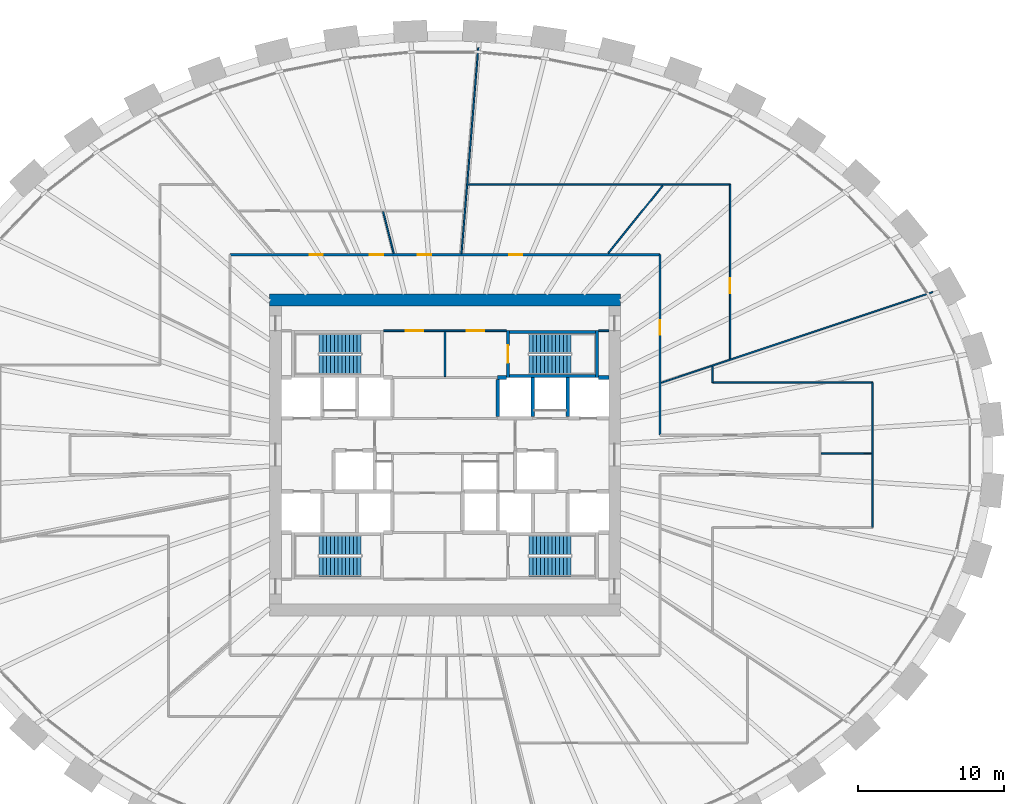
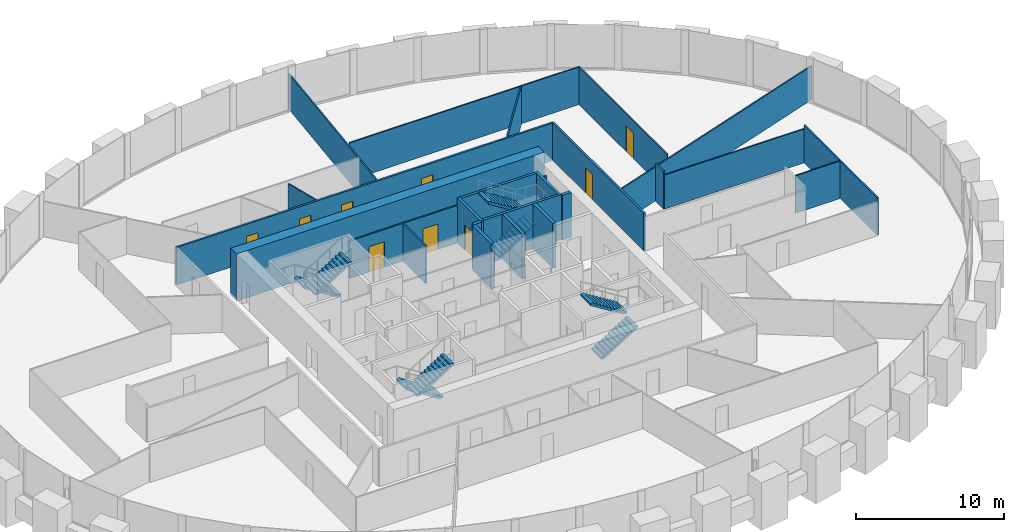
# One storey, part 9 of 10: 25 walls, 9 doors, 8 stair flights, 9 openings, 4 elements without a shape of their own.
"""IFC4 building model written with IfcOpenShell, lengths in metres."""

from ifc_helpers import new_model, si_unit, direction, frame, frame_2d, origin, place, context, subcontext, project, spatial, polyline, rectangle, outline, extrude, source, transform, mapped, material, layer, layer_set, type_object, element, fill, aggregate, save


model = new_model("IFC4")

# Units and contexts
model_context = context("Model", 3, precision=1e-05, world=origin(), true_north=direction((0.0, 1.0)))
body_context = subcontext(model_context, "Body", "Model", "MODEL_VIEW")
ifc_project = project(units=[si_unit("LENGTHUNIT", "METRE"), si_unit("AREAUNIT", "SQUARE_METRE"), si_unit("VOLUMEUNIT", "CUBIC_METRE"), si_unit("PLANEANGLEUNIT", "RADIAN"), si_unit("MASSUNIT", "GRAM", prefix="KILO")], contexts=[model_context])

# Site, building, storey
site_placement = place(None, origin())
site = spatial("IfcSite", under=ifc_project, at=site_placement, CompositionType="ELEMENT")
building_placement = place(site_placement, origin())
building = spatial("IfcBuilding", under=site, at=building_placement, Name="Embergate Tower", CompositionType="ELEMENT")
storey_placement = place(building_placement, frame((0.0, 0.0, 171.60009765625)))
storey = spatial("IfcBuildingStorey", under=building, at=storey_placement, Name="L38", CompositionType="ELEMENT", Elevation=171.60009765625)

# Walls
ifc_material_1 = material(Name="Concrete C70", Category="concrete")
ifc_layer_1 = layer(ifc_material_1, 0.800048828125)
ifc_layer_set_1 = layer_set([ifc_layer_1], Name="Concrete C70")
wall_type_1 = type_object("IfcWallType", Name="Core outer wall C70 800", PredefinedType="SHEAR", material=ifc_layer_set_1)
shared_shape_1 = source(origin(), body_context, "Body", "SweptSolid", [
    extrude(rectangle(XDim=24.0, YDim=0.800048828125, at=frame_2d((12.0, 0.0))), origin(), (0.0, 0.0, 1.0), 3.900146484375),
])
wall_1_placement = place(storey_placement, frame((-12.0, 10.60009765625, -0.2001953125), z_axis=(0.0, 0.0, 1.0), x_axis=(1.0, 0.0, 0.0)))
element("IfcWall", 1, at=wall_1_placement, inside=storey, type_object=wall_type_1, Name="CW-L38-N", PredefinedType="SHEAR", context=body_context, shape_type="MappedRepresentation", body=[
    mapped(shared_shape_1, transform((0.0, 0.0, 0.0))),
])
ifc_material_2 = material(Name="Concrete C50", Category="concrete")
ifc_layer_2 = layer(ifc_material_2, 0.25)
ifc_layer_set_2 = layer_set([ifc_layer_2], Name="Concrete C50")
wall_type_2 = type_object("IfcWallType", Name="Hoistway wall reinforced concrete 250", PredefinedType="SHEAR", material=ifc_layer_set_2)
shared_shape_2 = source(origin(), body_context, "Body", "SweptSolid", [
    extrude(rectangle(XDim=2.675048828125, YDim=0.25, at=frame_2d((1.33740234375, 0.0))), origin(), (0.0, 0.0, 1.0), 3.699951171875),
])
for number, where, z_axis, x_axis, name in (
    (2, (6.0, 2.625, 0.0), (0.0, 0.0, 1.0), (0.0, 1.0, 0.0), "HW-1 wall"),
    (3, (8.39990234375, 2.625, 0.0), (0.0, 0.0, 1.0), (0.0, 1.0, 0.0), "HW-1 wall"),
):
    element("IfcWall", number, at=place(storey_placement, frame(where, z_axis=z_axis, x_axis=x_axis)), inside=storey, type_object=wall_type_2, Name=name, PredefinedType="SHEAR", context=body_context, shape_type="MappedRepresentation", body=[
        mapped(shared_shape_2, transform((0.0, 0.0, 0.0))),
    ])
ifc_layer_3 = layer(ifc_material_2, 0.199951171875)
ifc_layer_set_3 = layer_set([ifc_layer_3], Name="Concrete C50")
wall_type_3 = type_object("IfcWallType", Name="Stair enclosure wall reinforced concrete 250", PredefinedType="SHEAR", material=ifc_layer_set_3)
shared_shape_3 = source(origin(), body_context, "Body", "SweptSolid", [
    extrude(rectangle(XDim=6.300048828125, YDim=0.199951171875, at=frame_2d((3.14990234375, 0.0))), origin(), (0.0, 0.0, 1.0), 3.699951171875),
])
for number, where, z_axis, x_axis, name in (
    (4, (10.5, 5.39990234375, 0.0), (0.0, 0.0, 1.0), (-1.0, 0.0, 0.0), "SE-1 wall"),
    (5, (10.5, 8.39990234375, 0.0), (0.0, 0.0, 1.0), (-1.0, 0.0, 0.0), "SE-1 wall"),
):
    element("IfcWall", number, at=place(storey_placement, frame(where, z_axis=z_axis, x_axis=x_axis)), inside=storey, type_object=wall_type_3, Name=name, PredefinedType="SHEAR", context=body_context, shape_type="MappedRepresentation", body=[
        mapped(shared_shape_3, transform((0.0, 0.0, 0.0))),
    ])
shared_shape_4 = source(origin(), body_context, "Body", "SweptSolid", [
    extrude(rectangle(XDim=2.550048828125, YDim=0.25, at=frame_2d((1.27490234375, 0.0))), origin(), (0.0, 0.0, 1.0), 3.699951171875),
])
wall_2_placement = place(storey_placement, frame((3.60009765625, 5.175048828125, 0.0), z_axis=(0.0, 0.0, 1.0), x_axis=(0.0, -1.0, 0.0)))
element("IfcWall", 6, at=wall_2_placement, inside=storey, type_object=wall_type_2, Name="HW-1 wall", PredefinedType="SHEAR", context=body_context, shape_type="MappedRepresentation", body=[
    mapped(shared_shape_4, transform((0.0, 0.0, 0.0))),
])

# Wall, opening, door
shared_shape_5 = source(origin(), body_context, "Body", "SweptSolid", [
    extrude(rectangle(XDim=3.199951171875, YDim=0.199951171875, at=frame_2d((1.60009765625, 0.0))), origin(), (0.0, 0.0, 1.0), 3.699951171875),
])
wall_3_placement = place(storey_placement, frame((4.300048828125, 8.5, 0.0), z_axis=(0.0, 0.0, 1.0), x_axis=(0.0, -1.0, 0.0)))
wall_3 = element("IfcWall", 7, at=wall_3_placement, inside=storey, type_object=wall_type_3, Name="SE-1 wall", PredefinedType="SHEAR", context=body_context, shape_type="MappedRepresentation", body=[
    mapped(shared_shape_5, transform((0.0, 0.0, 0.0))),
])
shared_shape_6 = source(origin(), body_context, "Body", "SweptSolid", [
    extrude(rectangle(XDim=1.199951171875, YDim=2.10009765625, at=frame_2d((0.60009765625, 1.050048828125))), frame((0.0, 0.10986328125, 0.0), z_axis=(0.0, -1.0, 0.0), x_axis=(1.0, 0.0, 0.0)), (0.0, 0.0, 1.0), 0.219970703125),
])
opening_1_placement = place(wall_3_placement, frame((1.0, 0.0, 0.0)))
opening_1 = element("IfcOpeningElement", 8, at=opening_1_placement, cuts=wall_3, Name="Opening IF-2", PredefinedType="OPENING", context=body_context, shape_type="MappedRepresentation", body=[
    mapped(shared_shape_6, transform((0.0, 0.0, 0.0))),
])
ifc_material_3 = material(Name="Stair enclosure door 1200")
door_type_1 = type_object("IfcDoorType", Name="Stair enclosure door 1200", OperationType="SINGLE_SWING_LEFT", PredefinedType="DOOR", material=ifc_material_3)
shared_shape_7 = source(origin(), body_context, "Body", "SweptSolid", [
    extrude(rectangle(XDim=1.199951171875, YDim=2.10009765625, at=frame_2d((0.60009765625, 1.050048828125))), frame((0.0, 0.02490234375, 0.0), z_axis=(0.0, -1.0, 0.0), x_axis=(1.0, 0.0, 0.0)), (0.0, 0.0, 1.0), 0.050048828125),
])
door_1_placement = place(opening_1_placement, origin())
door_1 = element("IfcDoor", 9, at=door_1_placement, inside=storey, type_object=door_type_1, Name="IF-2 door", OperationType="SINGLE_SWING_RIGHT", OverallHeight=2.10009765625, OverallWidth=1.199951171875, PredefinedType="DOOR", context=body_context, shape_type="MappedRepresentation", body=[
    mapped(shared_shape_7, transform((0.0, 0.0, 0.0))),
])
fill(opening_1, door_1)

# Wall, openings, doors
ifc_material_4 = material(Name="Core partition blockwork 120")
ifc_layer_4 = layer(ifc_material_4, 0.1201171875)
ifc_layer_set_4 = layer_set([ifc_layer_4], Name="Core partition blockwork 120")
wall_type_4 = type_object("IfcWallType", Name="Core partition blockwork 120", PredefinedType="PARTITIONING", material=ifc_layer_set_4)
shared_shape_8 = source(origin(), body_context, "Body", "SweptSolid", [
    extrude(rectangle(XDim=8.39990234375, YDim=0.1201171875, at=frame_2d((4.199951171875, 0.0))), origin(), (0.0, 0.0, 1.0), 3.099853515625),
])
wall_4_placement = place(storey_placement, frame((4.199951171875, 8.5, 0.0), z_axis=(0.0, 0.0, 1.0), x_axis=(-1.0, 0.0, 0.0)))
wall_4 = element("IfcWall", 10, at=wall_4_placement, inside=storey, type_object=wall_type_4, Name="IP-3 wall", PredefinedType="PARTITIONING", context=body_context, shape_type="MappedRepresentation", body=[
    mapped(shared_shape_8, transform((0.0, 0.0, 0.0))),
])
shared_shape_9 = source(origin(), body_context, "Body", "SweptSolid", [
    extrude(rectangle(XDim=1.199951171875, YDim=2.10009765625, at=frame_2d((0.60009765625, 1.050048828125))), frame((0.0, 0.070068359375, 0.0), z_axis=(0.0, -1.0, 0.0), x_axis=(1.0, 0.0, 0.0)), (0.0, 0.0, 1.0), 0.14013671875),
])
opening_2_placement = place(wall_4_placement, frame((5.699951171875, 0.0, 0.0)))
opening_2 = element("IfcOpeningElement", 11, at=opening_2_placement, cuts=wall_4, Name="Opening IF-3f", PredefinedType="OPENING", context=body_context, shape_type="MappedRepresentation", body=[
    mapped(shared_shape_9, transform((0.0, 0.0, 0.0))),
])
opening_3_placement = place(wall_4_placement, frame((1.5, 0.0, 0.0)))
opening_3 = element("IfcOpeningElement", 12, at=opening_3_placement, cuts=wall_4, Name="Opening IF-3f", PredefinedType="OPENING", context=body_context, shape_type="MappedRepresentation", body=[
    mapped(shared_shape_9, transform((0.0, 0.0, 0.0))),
])
ifc_material_5 = material(Name="Lobby fire door pair 1200")
door_type_2 = type_object("IfcDoorType", Name="Lobby fire door pair 1200", OperationType="DOUBLE_DOOR_SINGLE_SWING", PredefinedType="DOOR", material=ifc_material_5)
door_2_placement = place(opening_2_placement, origin())
door_2 = element("IfcDoor", 13, at=door_2_placement, inside=storey, type_object=door_type_2, Name="IF-3 door", OperationType="DOUBLE_DOOR_SINGLE_SWING", OverallHeight=2.10009765625, OverallWidth=1.199951171875, PredefinedType="DOOR", context=body_context, shape_type="MappedRepresentation", body=[
    mapped(shared_shape_7, transform((0.0, 0.0, 0.0))),
])
fill(opening_2, door_2)
door_3_placement = place(opening_3_placement, origin())
door_3 = element("IfcDoor", 14, at=door_3_placement, inside=storey, type_object=door_type_2, Name="IF-3 door", OperationType="DOUBLE_DOOR_SINGLE_SWING", OverallHeight=2.10009765625, OverallWidth=1.199951171875, PredefinedType="DOOR", context=body_context, shape_type="MappedRepresentation", body=[
    mapped(shared_shape_7, transform((0.0, 0.0, 0.0))),
])
fill(opening_3, door_3)

# Walls
shared_shape_10 = source(origin(), body_context, "Body", "SweptSolid", [
    extrude(rectangle(XDim=0.599853515625, YDim=0.25, at=frame_2d((0.2998046875, 0.0))), origin(), (0.0, 0.0, 1.0), 3.699951171875),
])
wall_5_placement = place(storey_placement, frame((4.199951171875, 5.300048828125, 0.0), z_axis=(0.0, 0.0, 1.0), x_axis=(-1.0, 0.0, 0.0)))
element("IfcWall", 15, at=wall_5_placement, inside=storey, type_object=wall_type_2, Name="HW-1 wall", PredefinedType="SHEAR", context=body_context, shape_type="MappedRepresentation", body=[
    mapped(shared_shape_10, transform((0.0, 0.0, 0.0))),
])
shared_shape_11 = source(origin(), body_context, "Body", "SweptSolid", [
    extrude(rectangle(XDim=3.196044921875, YDim=0.199951171875, at=frame_2d((1.59814453125, 0.0))), origin(), (0.0, 0.0, 1.0), 3.699951171875),
])
wall_6_placement = place(storey_placement, frame((10.39990234375, 5.302001953125, 0.0), z_axis=(0.0, 0.0, 1.0), x_axis=(0.0, 1.0, 0.0)))
element("IfcWall", 16, at=wall_6_placement, inside=storey, type_object=wall_type_3, Name="SE-1 wall", PredefinedType="SHEAR", context=body_context, shape_type="MappedRepresentation", body=[
    mapped(shared_shape_11, transform((0.0, 0.0, 0.0))),
])
shared_shape_12 = source(origin(), body_context, "Body", "SweptSolid", [
    extrude(rectangle(XDim=0.697998046875, YDim=0.25, at=frame_2d((0.34912109375, 0.0))), origin(), (0.0, 0.0, 1.0), 3.699951171875),
])
wall_7_placement = place(storey_placement, frame((11.199951171875, 5.300048828125, 0.0), z_axis=(0.0, 0.0, 1.0), x_axis=(-1.0, 0.0, 0.0)))
element("IfcWall", 17, at=wall_7_placement, inside=storey, type_object=wall_type_2, Name="HW-1 wall", PredefinedType="SHEAR", context=body_context, shape_type="MappedRepresentation", body=[
    mapped(shared_shape_12, transform((0.0, 0.0, 0.0))),
])
shared_shape_13 = source(origin(), body_context, "Body", "SweptSolid", [
    extrude(rectangle(XDim=3.079833984375, YDim=0.1201171875, at=frame_2d((1.5400390625, 0.0))), origin(), (0.0, 0.0, 1.0), 3.099853515625),
])
wall_8_placement = place(storey_placement, frame((0.0, 5.360107421875, 0.0), z_axis=(0.0, 0.0, 1.0), x_axis=(0.0, 1.0, 0.0)))
element("IfcWall", 18, at=wall_8_placement, inside=storey, type_object=wall_type_4, Name="IP-3 wall", PredefinedType="PARTITIONING", context=body_context, shape_type="MappedRepresentation", body=[
    mapped(shared_shape_13, transform((0.0, 0.0, 0.0))),
])
shared_shape_14 = source(origin(), body_context, "Body", "SweptSolid", [
    extrude(rectangle(XDim=0.697998046875, YDim=0.1201171875, at=frame_2d((0.34912109375, 0.0))), origin(), (0.0, 0.0, 1.0), 3.099853515625),
])
wall_9_placement = place(storey_placement, frame((10.501953125, 8.5, 0.0), z_axis=(0.0, 0.0, 1.0), x_axis=(1.0, 0.0, 0.0)))
element("IfcWall", 19, at=wall_9_placement, inside=storey, type_object=wall_type_4, Name="IP-3 wall", PredefinedType="PARTITIONING", context=body_context, shape_type="MappedRepresentation", body=[
    mapped(shared_shape_14, transform((0.0, 0.0, 0.0))),
])
ifc_material_6 = material(Name="Partition dry-lined 100")
ifc_layer_5 = layer(ifc_material_6, 0.10009765625)
ifc_layer_set_5 = layer_set([ifc_layer_5], Name="Partition dry-lined 100")
wall_type_5 = type_object("IfcWallType", Name="Partition dry-lined 100", PredefinedType="PARTITIONING", material=ifc_layer_set_5)
shared_shape_15 = source(origin(), body_context, "Body", "SweptSolid", [
    extrude(rectangle(XDim=10.949951171875, YDim=0.10009765625, at=frame_2d((5.47509765625, 0.0))), origin(), (0.0, 0.0, 1.0), 2.7998046875),
])
wall_10_placement = place(storey_placement, frame((29.25, 4.949951171875, 0.0), z_axis=(0.0, 0.0, 1.0), x_axis=(-1.0, 0.0, 0.0)))
element("IfcWall", 20, at=wall_10_placement, inside=storey, type_object=wall_type_5, Name="IP-1 wall", PredefinedType="PARTITIONING", context=body_context, shape_type="MappedRepresentation", body=[
    mapped(shared_shape_15, transform((0.0, 0.0, 0.0))),
])

# Wall, opening, door
ifc_material_7 = material(Name="Corridor wall dry-lined 150")
ifc_layer_6 = layer(ifc_material_7, 0.14990234375)
ifc_layer_set_6 = layer_set([ifc_layer_6], Name="Corridor wall dry-lined 150")
wall_type_6 = type_object("IfcWallType", Name="Corridor wall dry-lined 150", PredefinedType="PARTITIONING", material=ifc_layer_set_6)
shared_shape_16 = source(origin(), body_context, "Body", "SweptSolid", [
    extrude(rectangle(XDim=12.349853515625, YDim=0.14990234375, at=frame_2d((6.1748046875, 0.0))), origin(), (0.0, 0.0, 1.0), 3.099853515625),
])
wall_11_placement = place(storey_placement, frame((14.699951171875, 13.699951171875, 0.0), z_axis=(0.0, 0.0, 1.0), x_axis=(0.0, -1.0, 0.0)))
wall_11 = element("IfcWall", 21, at=wall_11_placement, inside=storey, type_object=wall_type_6, Name="IP-2 wall", PredefinedType="PARTITIONING", context=body_context, shape_type="MappedRepresentation", body=[
    mapped(shared_shape_16, transform((0.0, 0.0, 0.0))),
])
shared_shape_17 = source(origin(), body_context, "Body", "SweptSolid", [
    extrude(rectangle(XDim=1.0, YDim=2.10009765625, at=frame_2d((0.5, 1.050048828125))), frame((0.0, 0.0849609375, 0.0), z_axis=(0.0, -1.0, 0.0), x_axis=(1.0, 0.0, 0.0)), (0.0, 0.0, 1.0), 0.169921875),
])
opening_4_placement = place(wall_11_placement, frame((4.470947265625, 0.0, 0.0)))
opening_4 = element("IfcOpeningElement", 22, at=opening_4_placement, cuts=wall_11, Name="Opening ID-2", PredefinedType="OPENING", context=body_context, shape_type="MappedRepresentation", body=[
    mapped(shared_shape_17, transform((0.0, 0.0, 0.0))),
])
ifc_material_8 = material(Name="Interior door 1000")
door_type_3 = type_object("IfcDoorType", Name="Interior door 1000", OperationType="SINGLE_SWING_LEFT", PredefinedType="DOOR", material=ifc_material_8)
shared_shape_18 = source(origin(), body_context, "Body", "SweptSolid", [
    extrude(rectangle(XDim=1.0, YDim=2.10009765625, at=frame_2d((0.5, 1.050048828125))), frame((0.0, 0.02490234375, 0.0), z_axis=(0.0, -1.0, 0.0), x_axis=(1.0, 0.0, 0.0)), (0.0, 0.0, 1.0), 0.050048828125),
])
door_4_placement = place(opening_4_placement, origin())
door_4 = element("IfcDoor", 23, at=door_4_placement, inside=storey, type_object=door_type_3, Name="ID-2 door", OperationType="SINGLE_SWING_RIGHT", OverallHeight=2.10009765625, OverallWidth=1.0, PredefinedType="DOOR", context=body_context, shape_type="MappedRepresentation", body=[
    mapped(shared_shape_18, transform((0.0, 0.0, 0.0))),
])
fill(opening_4, door_4)

# Wall, openings, doors
shared_shape_19 = source(origin(), body_context, "Body", "SweptSolid", [
    extrude(rectangle(XDim=29.39990234375, YDim=0.14990234375, at=frame_2d((14.699951171875, 0.0))), origin(), (0.0, 0.0, 1.0), 3.099853515625),
])
wall_12_placement = place(storey_placement, frame((-14.699951171875, 13.699951171875, 0.0), z_axis=(0.0, 0.0, 1.0), x_axis=(1.0, 0.0, 0.0)))
wall_12 = element("IfcWall", 24, at=wall_12_placement, inside=storey, type_object=wall_type_6, Name="IP-2 wall", PredefinedType="PARTITIONING", context=body_context, shape_type="MappedRepresentation", body=[
    mapped(shared_shape_19, transform((0.0, 0.0, 0.0))),
])
shared_shape_20 = source(origin(), body_context, "Body", "SweptSolid", [
    extrude(rectangle(XDim=0.89990234375, YDim=2.10009765625, at=frame_2d((0.449951171875, 1.050048828125))), frame((0.0, 0.0849609375, 0.0), z_axis=(0.0, -1.0, 0.0), x_axis=(1.0, 0.0, 0.0)), (0.0, 0.0, 1.0), 0.169921875),
])
opening_5_placement = place(wall_12_placement, frame((19.080078125, 0.0, 0.0)))
opening_5 = element("IfcOpeningElement", 25, at=opening_5_placement, cuts=wall_12, Name="Opening IF-1c", PredefinedType="OPENING", context=body_context, shape_type="MappedRepresentation", body=[
    mapped(shared_shape_20, transform((0.0, 0.0, 0.0))),
])
opening_6_placement = place(wall_12_placement, frame((12.84912109375, 0.0, 0.0)))
opening_6 = element("IfcOpeningElement", 26, at=opening_6_placement, cuts=wall_12, Name="Opening IF-1c", PredefinedType="OPENING", context=body_context, shape_type="MappedRepresentation", body=[
    mapped(shared_shape_20, transform((0.0, 0.0, 0.0))),
])
opening_7_placement = place(wall_12_placement, frame((9.56396484375, 0.0, 0.0)))
opening_7 = element("IfcOpeningElement", 27, at=opening_7_placement, cuts=wall_12, Name="Opening IF-1c", PredefinedType="OPENING", context=body_context, shape_type="MappedRepresentation", body=[
    mapped(shared_shape_20, transform((0.0, 0.0, 0.0))),
])
opening_8_placement = place(wall_12_placement, frame((5.452880859375, 0.0, 0.0)))
opening_8 = element("IfcOpeningElement", 28, at=opening_8_placement, cuts=wall_12, Name="Opening IF-1c", PredefinedType="OPENING", context=body_context, shape_type="MappedRepresentation", body=[
    mapped(shared_shape_20, transform((0.0, 0.0, 0.0))),
])
ifc_material_9 = material(Name="Escape fire door 900")
door_type_4 = type_object("IfcDoorType", Name="Escape fire door 900", OperationType="SINGLE_SWING_LEFT", PredefinedType="DOOR", material=ifc_material_9)
shared_shape_21 = source(origin(), body_context, "Body", "SweptSolid", [
    extrude(rectangle(XDim=0.89990234375, YDim=2.10009765625, at=frame_2d((0.449951171875, 1.050048828125))), frame((0.0, 0.02490234375, 0.0), z_axis=(0.0, -1.0, 0.0), x_axis=(1.0, 0.0, 0.0)), (0.0, 0.0, 1.0), 0.050048828125),
])
door_5_placement = place(opening_5_placement, origin())
door_5 = element("IfcDoor", 29, at=door_5_placement, inside=storey, type_object=door_type_4, Name="IF-1 door", OperationType="SINGLE_SWING_RIGHT", OverallHeight=2.10009765625, OverallWidth=0.89990234375, PredefinedType="DOOR", context=body_context, shape_type="MappedRepresentation", body=[
    mapped(shared_shape_21, transform((0.0, 0.0, 0.0))),
])
fill(opening_5, door_5)
door_6_placement = place(opening_6_placement, origin())
door_6 = element("IfcDoor", 30, at=door_6_placement, inside=storey, type_object=door_type_4, Name="IF-1 door", OperationType="SINGLE_SWING_LEFT", OverallHeight=2.10009765625, OverallWidth=0.89990234375, PredefinedType="DOOR", context=body_context, shape_type="MappedRepresentation", body=[
    mapped(shared_shape_21, transform((0.0, 0.0, 0.0))),
])
fill(opening_6, door_6)
door_7_placement = place(opening_7_placement, origin())
door_7 = element("IfcDoor", 31, at=door_7_placement, inside=storey, type_object=door_type_4, Name="IF-1 door", OperationType="SINGLE_SWING_LEFT", OverallHeight=2.10009765625, OverallWidth=0.89990234375, PredefinedType="DOOR", context=body_context, shape_type="MappedRepresentation", body=[
    mapped(shared_shape_21, transform((0.0, 0.0, 0.0))),
])
fill(opening_7, door_7)
door_8_placement = place(opening_8_placement, origin())
door_8 = element("IfcDoor", 32, at=door_8_placement, inside=storey, type_object=door_type_4, Name="IF-1 door", OperationType="SINGLE_SWING_RIGHT", OverallHeight=2.10009765625, OverallWidth=0.89990234375, PredefinedType="DOOR", context=body_context, shape_type="MappedRepresentation", body=[
    mapped(shared_shape_21, transform((0.0, 0.0, 0.0))),
])
fill(opening_8, door_8)

# Walls
shared_shape_22 = source(origin(), body_context, "Body", "SweptSolid", [
    extrude(rectangle(XDim=3.474853515625, YDim=0.10009765625, at=frame_2d((1.7373046875, 0.0))), origin(), (0.0, 0.0, 1.0), 3.099853515625),
])
wall_13_placement = place(storey_placement, frame((25.72509765625, 0.087890625, 0.0), z_axis=(0.0, 0.0, 1.0), x_axis=(0.999993829603, 0.003512941156, 0.0)))
element("IfcWall", 33, at=wall_13_placement, inside=storey, type_object=wall_type_5, Name="IP-1 wall", PredefinedType="PARTITIONING", context=body_context, shape_type="MappedRepresentation", body=[
    mapped(shared_shape_22, transform((0.0, 0.0, 0.0))),
])
shared_shape_23 = source(origin(), body_context, "Body", "SweptSolid", [
    extrude(rectangle(XDim=9.89990234375, YDim=0.10009765625, at=frame_2d((4.949951171875, 0.0))), origin(), (0.0, 0.0, 1.0), 3.099853515625),
])
wall_14_placement = place(storey_placement, frame((29.25, 4.949951171875, 0.0), z_axis=(0.0, 0.0, 1.0), x_axis=(0.0, -1.0, 0.0)))
element("IfcWall", 34, at=wall_14_placement, inside=storey, type_object=wall_type_5, Name="IP-1 wall", PredefinedType="PARTITIONING", context=body_context, shape_type="MappedRepresentation", body=[
    mapped(shared_shape_23, transform((0.0, 0.0, 0.0))),
])
shared_shape_24 = source(origin(), body_context, "Body", "SweptSolid", [
    extrude(rectangle(XDim=1.092041015625, YDim=0.10009765625, at=frame_2d((0.5458984375, 0.0))), origin(), (0.0, 0.0, 1.0), 3.099853515625),
])
wall_15_placement = place(storey_placement, frame((18.300048828125, 4.949951171875, 0.0), z_axis=(0.0, 0.0, 1.0), x_axis=(0.0, 1.0, 0.0)))
element("IfcWall", 35, at=wall_15_placement, inside=storey, type_object=wall_type_5, Name="IP-1 wall", PredefinedType="PARTITIONING", context=body_context, shape_type="MappedRepresentation", body=[
    mapped(shared_shape_24, transform((0.0, 0.0, 0.0))),
])
shared_shape_25 = source(origin(), body_context, "Body", "SweptSolid", [
    extrude(rectangle(XDim=5.931640625, YDim=0.10009765625, at=frame_2d((2.9658203125, 0.0))), origin(), (0.0, 0.0, 1.0), 3.099853515625),
])
wall_16_placement = place(storey_placement, frame((14.89111328125, 18.4189453125, 0.0), z_axis=(0.0, 0.0, 1.0), x_axis=(-0.628652246479, -0.777686539035, 0.0)))
element("IfcWall", 36, at=wall_16_placement, inside=storey, type_object=wall_type_5, Name="IP-1 wall", PredefinedType="PARTITIONING", context=body_context, shape_type="MappedRepresentation", body=[
    mapped(shared_shape_25, transform((0.0, 0.0, 0.0))),
])

# Wall, opening, door
shared_shape_26 = source(origin(), body_context, "Body", "SweptSolid", [
    extrude(rectangle(XDim=11.91796875, YDim=0.10009765625, at=frame_2d((5.958984375, 0.0))), origin(), (0.0, 0.0, 1.0), 3.099853515625),
])
wall_17_placement = place(storey_placement, frame((19.5, 6.58203125, 0.0), z_axis=(0.0, 0.0, 1.0), x_axis=(0.0, 1.0, 0.0)))
wall_17 = element("IfcWall", 37, at=wall_17_placement, inside=storey, type_object=wall_type_5, Name="IP-1 wall", PredefinedType="PARTITIONING", context=body_context, shape_type="MappedRepresentation", body=[
    mapped(shared_shape_26, transform((0.0, 0.0, 0.0))),
])
shared_shape_27 = source(origin(), body_context, "Body", "SweptSolid", [
    extrude(rectangle(XDim=1.0, YDim=2.10009765625, at=frame_2d((0.5, 1.050048828125))), frame((0.0, 0.06005859375, 0.0), z_axis=(0.0, -1.0, 0.0), x_axis=(1.0, 0.0, 0.0)), (0.0, 0.0, 1.0), 0.1201171875),
])
opening_9_placement = place(wall_17_placement, frame((4.4892578125, 0.0, 0.0)))
opening_9 = element("IfcOpeningElement", 38, at=opening_9_placement, cuts=wall_17, Name="Opening ID-2", PredefinedType="OPENING", context=body_context, shape_type="MappedRepresentation", body=[
    mapped(shared_shape_27, transform((0.0, 0.0, 0.0))),
])
door_9_placement = place(opening_9_placement, origin())
door_9 = element("IfcDoor", 39, at=door_9_placement, inside=storey, type_object=door_type_3, Name="ID-2 door", OperationType="SINGLE_SWING_RIGHT", OverallHeight=2.10009765625, OverallWidth=1.0, PredefinedType="DOOR", context=body_context, shape_type="MappedRepresentation", body=[
    mapped(shared_shape_18, transform((0.0, 0.0, 0.0))),
])
fill(opening_9, door_9)

# Walls
shared_shape_28 = source(origin(), body_context, "Body", "SweptSolid", [
    extrude(rectangle(XDim=17.93798828125, YDim=0.10009765625, at=frame_2d((8.968994140625, 0.0))), origin(), (0.0, 0.0, 1.0), 3.099853515625),
])
wall_18_placement = place(storey_placement, frame((19.5, 18.5, 0.0), z_axis=(0.0, 0.0, 1.0), x_axis=(-1.0, 0.0, 0.0)))
element("IfcWall", 40, at=wall_18_placement, inside=storey, type_object=wall_type_5, Name="IP-1 wall", PredefinedType="PARTITIONING", context=body_context, shape_type="MappedRepresentation", body=[
    mapped(shared_shape_28, transform((0.0, 0.0, 0.0))),
])
shared_shape_29 = source(origin(), body_context, "Body", "SweptSolid", [
    extrude(rectangle(XDim=14.119873046875, YDim=0.10009765625, at=frame_2d((7.06005859375, 0.0))), origin(), (0.0, 0.0, 1.0), 2.89990234375),
])
wall_19_placement = place(storey_placement, frame((2.27587890625, 27.847900390625, 0.0), z_axis=(0.0, 0.0, 1.0), x_axis=(-0.08143842523, -0.996678374851, 0.0)))
element("IfcWall", 41, at=wall_19_placement, inside=storey, type_object=wall_type_5, Name="IP-1 wall", PredefinedType="PARTITIONING", context=body_context, shape_type="MappedRepresentation", body=[
    mapped(shared_shape_29, transform((0.0, 0.0, 0.0))),
])
ifc_material_10 = material(Name="Partition dry-lined 100 wet")
ifc_layer_7 = layer(ifc_material_10, 0.10009765625)
ifc_layer_set_7 = layer_set([ifc_layer_7], Name="Partition dry-lined 100 wet")
wall_type_7 = type_object("IfcWallType", Name="Partition dry-lined 100 wet", PredefinedType="PLUMBINGWALL", material=ifc_layer_set_7)
shared_shape_30 = source(origin(), body_context, "Body", "SweptSolid", [
    extrude(rectangle(XDim=2.941650390625, YDim=0.10009765625, at=frame_2d((1.470703125, 0.0))), origin(), (0.0, 0.0, 1.0), 2.89990234375),
])
wall_20_placement = place(storey_placement, frame((-3.510009765625, 13.787109375, 0.0), z_axis=(0.0, 0.0, 1.0), x_axis=(-0.246497875736, 0.969143331638, 0.0)))
element("IfcWall", 42, at=wall_20_placement, inside=storey, type_object=wall_type_7, Name="IP-1 wall", PredefinedType="PLUMBINGWALL", context=body_context, shape_type="MappedRepresentation", body=[
    mapped(shared_shape_30, transform((0.0, 0.0, 0.0))),
])
shared_shape_31 = source(origin(), body_context, "Body", "SweptSolid", [
    extrude(rectangle(XDim=19.575927734375, YDim=0.10009765625, at=frame_2d((9.7880859375, 0.0))), origin(), (0.0, 0.0, 1.0), 2.7998046875),
])
wall_21_placement = place(storey_placement, frame((33.35888671875, 11.14111328125, 0.0), z_axis=(0.0, 0.0, 1.0), x_axis=(-0.948501058116, -0.316773961608, 0.0)))
element("IfcWall", 43, at=wall_21_placement, inside=storey, type_object=wall_type_5, Name="IP-1 wall", PredefinedType="PARTITIONING", context=body_context, shape_type="MappedRepresentation", body=[
    mapped(shared_shape_31, transform((0.0, 0.0, 0.0))),
])

# Stair, stair flights
ifc_material_11 = material(Name="Exit stair")
stair_type = type_object("IfcStairType", Name="Exit stair", PredefinedType="HALF_TURN_STAIR", material=ifc_material_11)
stair_1_placement = place(storey_placement, origin())
stair_1 = element("IfcStair", 44, at=stair_1_placement, inside=storey, type_object=stair_type, Name="L38 Exit stair 1", PredefinedType="HALF_TURN_STAIR")
ifc_material_12 = material(Name="Concrete C40", Category="concrete")
stair_flight_type = type_object("IfcStairFlightType", Name="Stair flight reinforced concrete", PredefinedType="STRAIGHT", material=ifc_material_12)
shared_shape_32 = source(origin(), body_context, "Body", "SweptSolid", [
    extrude(outline(polyline([(0.0, 0.0), (0.0, 0.16259765625), (0.260009765625, 0.16259765625), (0.260009765625, 0.324951171875), (0.52001953125, 0.324951171875), (0.52001953125, 0.487548828125), (0.780029296875, 0.487548828125), (0.780029296875, 0.64990234375), (1.0400390625, 0.64990234375), (1.0400390625, 0.8125), (1.300048828125, 0.8125), (1.300048828125, 0.97509765625), (1.56005859375, 0.97509765625), (1.56005859375, 1.137451171875), (1.820068359375, 1.137451171875), (1.820068359375, 1.300048828125), (2.080078125, 1.300048828125), (2.080078125, 1.46240234375), (2.340087890625, 1.46240234375), (2.340087890625, 1.625), (2.60009765625, 1.625), (2.60009765625, 1.78759765625), (2.860107421875, 1.78759765625), (2.860107421875, 1.949951171875), (2.860107421875, 1.61083984375), (0.28271484375, 0.0), (0.0, 0.0)])), frame((0.0, 0.675048828125, 0.0), z_axis=(0.0, -1.0, 0.0), x_axis=(1.0, 0.0, 0.0)), (0.0, 0.0, 1.0), 1.35009765625),
])
stair_flight_1_placement = place(storey_placement, frame((-5.75, 7.625, 0.0), z_axis=(0.0, 0.0, 1.0), x_axis=(-1.0, 0.0, 0.0)))
stair_flight_1 = element("IfcStairFlight", 45, at=stair_flight_1_placement, type_object=stair_flight_type, Name="ST1 flight 1", NumberOfRisers=12, NumberOfTreads=11, PredefinedType="STRAIGHT", RiserHeight=0.1625, TreadLength=0.26, context=body_context, shape_type="MappedRepresentation", body=[
    mapped(shared_shape_32, transform((0.0, 0.0, 0.0))),
])
stair_flight_2_placement = place(storey_placement, frame((-8.610107421875, 6.175048828125, 1.949951171875), z_axis=(0.0, 0.0, 1.0), x_axis=(1.0, 0.0, 0.0)))
stair_flight_2 = element("IfcStairFlight", 46, at=stair_flight_2_placement, type_object=stair_flight_type, Name="ST1 flight 2", NumberOfRisers=12, NumberOfTreads=11, PredefinedType="STRAIGHT", RiserHeight=0.1625, TreadLength=0.26, context=body_context, shape_type="MappedRepresentation", body=[
    mapped(shared_shape_32, transform((0.0, 0.0, 0.0))),
])
aggregate(stair_1, [stair_flight_1, stair_flight_2])

stair_2_placement = place(storey_placement, origin())
stair_2 = element("IfcStair", 47, at=stair_2_placement, inside=storey, type_object=stair_type, Name="L38 Exit stair 2", PredefinedType="HALF_TURN_STAIR")
stair_flight_3_placement = place(storey_placement, frame((5.75, 6.175048828125, 0.0), z_axis=(0.0, 0.0, 1.0), x_axis=(1.0, 0.0, 0.0)))
stair_flight_3 = element("IfcStairFlight", 48, at=stair_flight_3_placement, type_object=stair_flight_type, Name="ST2 flight 1", NumberOfRisers=12, NumberOfTreads=11, PredefinedType="STRAIGHT", RiserHeight=0.1625, TreadLength=0.26, context=body_context, shape_type="MappedRepresentation", body=[
    mapped(shared_shape_32, transform((0.0, 0.0, 0.0))),
])
stair_flight_4_placement = place(storey_placement, frame((8.610107421875, 7.625, 1.949951171875), z_axis=(0.0, 0.0, 1.0), x_axis=(-1.0, 0.0, 0.0)))
stair_flight_4 = element("IfcStairFlight", 49, at=stair_flight_4_placement, type_object=stair_flight_type, Name="ST2 flight 2", NumberOfRisers=12, NumberOfTreads=11, PredefinedType="STRAIGHT", RiserHeight=0.1625, TreadLength=0.26, context=body_context, shape_type="MappedRepresentation", body=[
    mapped(shared_shape_32, transform((0.0, 0.0, 0.0))),
])
aggregate(stair_2, [stair_flight_3, stair_flight_4])

stair_3_placement = place(storey_placement, origin())
stair_3 = element("IfcStair", 50, at=stair_3_placement, inside=storey, type_object=stair_type, Name="L38 Exit stair 3", PredefinedType="HALF_TURN_STAIR")
stair_flight_5_placement = place(storey_placement, frame((-5.75, -6.175048828125, 0.0), z_axis=(0.0, 0.0, 1.0), x_axis=(-1.0, 0.0, 0.0)))
stair_flight_5 = element("IfcStairFlight", 51, at=stair_flight_5_placement, type_object=stair_flight_type, Name="ST3 flight 1", NumberOfRisers=12, NumberOfTreads=11, PredefinedType="STRAIGHT", RiserHeight=0.1625, TreadLength=0.26, context=body_context, shape_type="MappedRepresentation", body=[
    mapped(shared_shape_32, transform((0.0, 0.0, 0.0))),
])
stair_flight_6_placement = place(storey_placement, frame((-8.610107421875, -7.625, 1.949951171875), z_axis=(0.0, 0.0, 1.0), x_axis=(1.0, 0.0, 0.0)))
stair_flight_6 = element("IfcStairFlight", 52, at=stair_flight_6_placement, type_object=stair_flight_type, Name="ST3 flight 2", NumberOfRisers=12, NumberOfTreads=11, PredefinedType="STRAIGHT", RiserHeight=0.1625, TreadLength=0.26, context=body_context, shape_type="MappedRepresentation", body=[
    mapped(shared_shape_32, transform((0.0, 0.0, 0.0))),
])
aggregate(stair_3, [stair_flight_5, stair_flight_6])

stair_4_placement = place(storey_placement, origin())
stair_4 = element("IfcStair", 53, at=stair_4_placement, inside=storey, type_object=stair_type, Name="L38 Exit stair 4", PredefinedType="HALF_TURN_STAIR")
stair_flight_7_placement = place(storey_placement, frame((5.75, -7.625, 0.0), z_axis=(0.0, 0.0, 1.0), x_axis=(1.0, 0.0, 0.0)))
stair_flight_7 = element("IfcStairFlight", 54, at=stair_flight_7_placement, type_object=stair_flight_type, Name="ST4 flight 1", NumberOfRisers=12, NumberOfTreads=11, PredefinedType="STRAIGHT", RiserHeight=0.1625, TreadLength=0.26, context=body_context, shape_type="MappedRepresentation", body=[
    mapped(shared_shape_32, transform((0.0, 0.0, 0.0))),
])
stair_flight_8_placement = place(storey_placement, frame((8.610107421875, -6.175048828125, 1.949951171875), z_axis=(0.0, 0.0, 1.0), x_axis=(-1.0, 0.0, 0.0)))
stair_flight_8 = element("IfcStairFlight", 55, at=stair_flight_8_placement, type_object=stair_flight_type, Name="ST4 flight 2", NumberOfRisers=12, NumberOfTreads=11, PredefinedType="STRAIGHT", RiserHeight=0.1625, TreadLength=0.26, context=body_context, shape_type="MappedRepresentation", body=[
    mapped(shared_shape_32, transform((0.0, 0.0, 0.0))),
])
aggregate(stair_4, [stair_flight_7, stair_flight_8])

save(model, "model.ifc")
